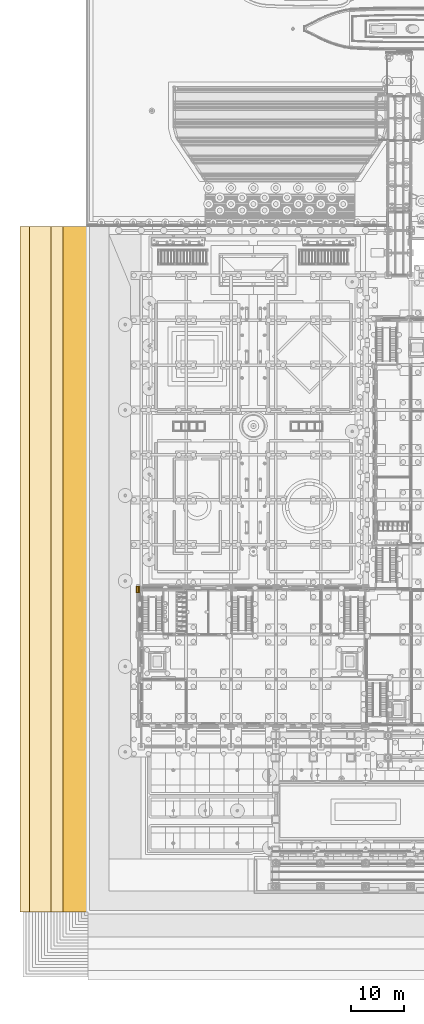
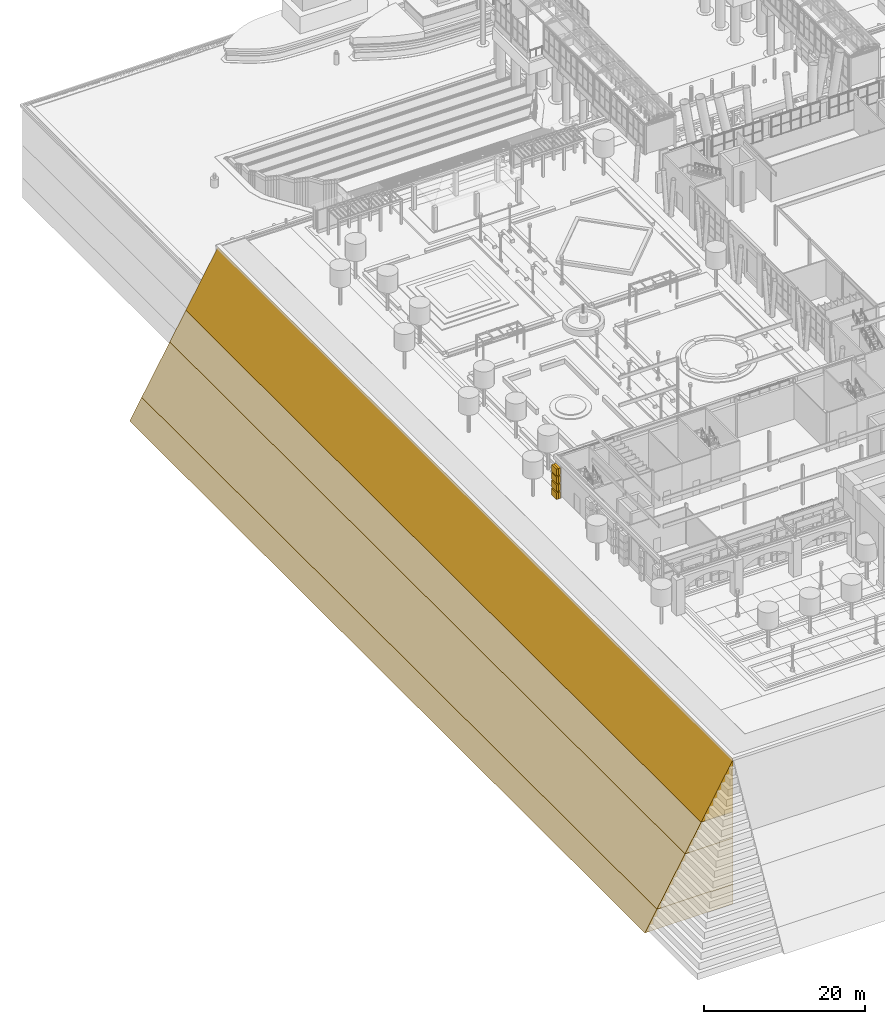
# One storey, part 135 of 222: 12 coverings.
"""IFC4 building model written with IfcOpenShell, lengths in metres."""

import ifcopenshell
import ifcopenshell.guid

model = None  # the IFC model being written
_history = None  # IfcOwnerHistory: only IFC2X3 demands one
_inside = {}  # id of a spatial element -> (the spatial element, [elements in it])
_under = {}  # id of a project, library or spatial element -> (it, [spatial elements below it])
_declared = {}  # id of a project -> (the project, [libraries it declares])
_typed = {}  # id of a type object -> (the type object, [elements of that type])
_made_of = {}  # id of a material, layer set ... -> (it, [elements and type objects made of it])


def new_model(schema):
    """Start an empty IFC model of exactly this schema.

    Asked for "IFC4X3", IfcOpenShell would pick the latest addendum, in which some entities
    have other attributes; the version numbers below select the first issue.
    IFC2X3 requires an IfcOwnerHistory on every rooted entity: one is made here for all.
    """
    global model, _history
    if schema == "IFC4X3":
        model = ifcopenshell.file(schema_version=(4, 3, 0, 0))
    else:
        model = ifcopenshell.file(schema=schema)
    _inside.clear()
    _under.clear()
    _declared.clear()
    _typed.clear()
    _made_of.clear()
    _history = None
    if model.schema == "IFC2X3":
        org = make("IfcOrganization", Name="unknown")
        user = make(
            "IfcPersonAndOrganization",
            ThePerson=make("IfcPerson", FamilyName="unknown"),
            TheOrganization=org,
        )
        app = make(
            "IfcApplication",
            ApplicationDeveloper=org,
            Version="unknown",
            ApplicationFullName="unknown",
            ApplicationIdentifier="unknown",
        )
        _history = make(
            "IfcOwnerHistory",
            OwningUser=user,
            OwningApplication=app,
            ChangeAction="ADDED",
            CreationDate=0,
        )
    return model


def make(cls, **values):
    """One entity of the class cls with the attributes given. An attribute that is None is left unset."""
    return model.create_entity(
        cls, **{name: value for name, value in values.items() if value is not None}
    )


def rooted(cls, **values):
    """An entity with a GlobalId (a new one), such as an element, a storey or a relation."""
    return make(cls, GlobalId=ifcopenshell.guid.new(), OwnerHistory=_history, **values)


def si_unit(unit_type, name, prefix=None):
    """IfcSIUnit, for example si_unit("LENGTHUNIT", "METRE", prefix="MILLI")."""
    return make("IfcSIUnit", UnitType=unit_type, Prefix=prefix, Name=name)


def assignment(units):
    """IfcUnitAssignment: the units of a project."""
    return None if units is None else make("IfcUnitAssignment", Units=units)


def point(xyz):
    """IfcCartesianPoint."""
    return None if xyz is None else make("IfcCartesianPoint", Coordinates=xyz)


def direction(xyz):
    """IfcDirection."""
    return None if xyz is None else make("IfcDirection", DirectionRatios=xyz)


def frame(location, z_axis=None, x_axis=None):
    """IfcAxis2Placement3D, a coordinate frame: its origin and axes. An axis left out is left unset."""
    return make(
        "IfcAxis2Placement3D",
        Location=point(location),
        Axis=direction(z_axis),
        RefDirection=direction(x_axis),
    )


def frame_2d(location, x_axis=None):
    """IfcAxis2Placement2D, a coordinate frame in the plane: its origin and x axis."""
    return make(
        "IfcAxis2Placement2D", Location=point(location), RefDirection=direction(x_axis)
    )


def origin():
    """The frame at (0, 0, 0) with its axes left unset."""
    return frame((0.0, 0.0, 0.0))


def origin_2d():
    """The frame at (0, 0) in the plane with its x axis left unset."""
    return frame_2d((0.0, 0.0))


def place(relative_to, where):
    """IfcLocalPlacement: puts the frame where relative to a parent placement (None: the world)."""
    return make(
        "IfcLocalPlacement", PlacementRelTo=relative_to, RelativePlacement=where
    )


def context(
    kind, dimensions, precision=None, world=None, true_north=None, identifier=None
):
    """IfcGeometricRepresentationContext, for example the 3D "Model" context."""
    return make(
        "IfcGeometricRepresentationContext",
        ContextIdentifier=identifier,
        ContextType=kind,
        CoordinateSpaceDimension=dimensions,
        Precision=precision,
        WorldCoordinateSystem=world,
        TrueNorth=true_north,
    )


def subcontext(parent, identifier, kind, view, scale=None):
    """IfcGeometricRepresentationSubContext, for example "Body" below "Model"."""
    return make(
        "IfcGeometricRepresentationSubContext",
        ContextIdentifier=identifier,
        ContextType=kind,
        ParentContext=parent,
        TargetScale=scale,
        TargetView=view,
    )


def project(units=None, contexts=None):
    """IfcProject with its units and contexts."""
    return rooted(
        "IfcProject",
        Name="project",
        RepresentationContexts=contexts,
        UnitsInContext=assignment(units),
    )


def spatial(cls, under=None, at=None, **own):
    """A site, building, storey or space (cls), placed at a placement, below another one or the project."""
    s = rooted(cls, ObjectPlacement=at, **own)
    if under is not None:
        _under.setdefault(under.id(), (under, []))[1].append(s)
    return s


def polyline(points):
    """IfcPolyline through the points."""
    return make("IfcPolyline", Points=[point(p) for p in points])


def profile(cls, at=None, kind="AREA", **sizes):
    """A parametric profile (cls). Its sizes go by their IFC names, for example OverallWidth=200.0."""
    return make(cls, ProfileType=kind, Position=at, **sizes)


def rectangle(**sizes):
    """IfcRectangleProfileDef."""
    return profile("IfcRectangleProfileDef", **sizes)


def outline(outer, holes=None, kind="AREA"):
    """IfcArbitraryClosedProfileDef: a profile drawn as a closed curve; with holes, ...WithVoids."""
    if holes is None:
        return make("IfcArbitraryClosedProfileDef", ProfileType=kind, OuterCurve=outer)
    return make(
        "IfcArbitraryProfileDefWithVoids",
        ProfileType=kind,
        OuterCurve=outer,
        InnerCurves=holes,
    )


def extrude(swept, where, along, depth):
    """IfcExtrudedAreaSolid: the profile swept, set in the frame where, extruded along a direction by depth."""
    return make(
        "IfcExtrudedAreaSolid",
        SweptArea=swept,
        Position=where,
        ExtrudedDirection=direction(along),
        Depth=depth,
    )


def shape(context_of_items, identifier, shape_type, items):
    """IfcShapeRepresentation: the items that make up one representation, for example the "Body"."""
    return make(
        "IfcShapeRepresentation",
        ContextOfItems=context_of_items,
        RepresentationIdentifier=identifier,
        RepresentationType=shape_type,
        Items=items,
    )


def material(Name=None, Category=None):
    """IfcMaterial."""
    return make("IfcMaterial", Name=Name, Category=Category)


def layer(
    of_material, thickness, ventilated=None, Name=None, Category=None, Priority=None
):
    """IfcMaterialLayer: one layer of a wall or slab, of a material (None: an air gap)."""
    return make(
        "IfcMaterialLayer",
        Material=of_material,
        LayerThickness=thickness,
        IsVentilated=ventilated,
        Name=Name,
        Category=Category,
        Priority=Priority,
    )


def layer_set(layers, Name=None):
    """IfcMaterialLayerSet."""
    return make("IfcMaterialLayerSet", MaterialLayers=layers, LayerSetName=Name)


def made_of(thing, what):
    """Note that an element or type object is made of a material, layer set ...; save() writes the relation."""
    if what is not None:
        _made_of.setdefault(what.id(), (what, []))[1].append(thing)
    return thing


def type_object(cls, material=None, **own):
    """A type object (cls), such as IfcWallType, which elements share."""
    return made_of(rooted(cls, **own), material)


def element(
    cls,
    number,
    at=None,
    inside=None,
    cuts=None,
    type_object=None,
    material=None,
    context=None,
    identifier="Body",
    shape_type=None,
    held_by="IfcProductDefinitionShape",
    body=None,
    shapes=None,
    **own,
):
    """One element of the class cls, such as IfcWall. Its Tag is "e" and its number.

    at: its placement. inside: the storey or other place that contains it. cuts: it is an
    opening in that element (IfcRelVoidsElement). A single representation is given by context,
    identifier, shape_type and body (its items); several are given by shapes. held_by: the class
    of the entity that holds the representations. save() writes the other relations.
    """
    e = rooted(cls, Tag="e%d" % number, ObjectPlacement=at, **own)
    if body is not None:
        shapes = [shape(context, identifier, shape_type, body)]
    if shapes is not None:
        e.Representation = make(held_by, Representations=shapes)
    if inside is not None:
        _inside.setdefault(inside.id(), (inside, []))[1].append(e)
    if cuts is not None:
        rooted(
            "IfcRelVoidsElement", RelatingBuildingElement=cuts, RelatedOpeningElement=e
        )
    if type_object is not None:
        _typed.setdefault(type_object.id(), (type_object, []))[1].append(e)
    return made_of(e, material)


def aggregate(whole, parts):
    """IfcRelAggregates: a whole, such as a stair, and the parts it consists of."""
    return rooted("IfcRelAggregates", RelatingObject=whole, RelatedObjects=parts)


def save(model, path):
    """Write the relations noted so far, then the file.

    IfcRelAggregates (storeys below a building ...), IfcRelContainedInSpatialStructure (elements
    in a storey), IfcRelDefinesByType, IfcRelAssociatesMaterial and IfcRelDeclares: one each for
    every whole, place, type object, material and project.
    """
    for whole, parts in _under.values():
        aggregate(whole, parts)
    for where, things in _inside.values():
        rooted(
            "IfcRelContainedInSpatialStructure",
            RelatedElements=things,
            RelatingStructure=where,
        )
    for kind, things in _typed.values():
        rooted("IfcRelDefinesByType", RelatedObjects=things, RelatingType=kind)
    for what, things in _made_of.values():
        rooted("IfcRelAssociatesMaterial", RelatedObjects=things, RelatingMaterial=what)
    for by, libraries in _declared.values():
        rooted("IfcRelDeclares", RelatingContext=by, RelatedDefinitions=libraries)
    model.write(path)


model = new_model("IFC4")

# Units and contexts
model_context = context("Model", 3, precision=1e-05, world=origin(), true_north=direction((0.0, 1.0)))
body_context = subcontext(model_context, "Body", "Model", "MODEL_VIEW")
ifc_project = project(units=[si_unit("LENGTHUNIT", "METRE"), si_unit("AREAUNIT", "SQUARE_METRE"), si_unit("VOLUMEUNIT", "CUBIC_METRE"), si_unit("PLANEANGLEUNIT", "RADIAN"), si_unit("MASSUNIT", "GRAM", prefix="KILO")], contexts=[model_context])

# Site, building, storey
site_placement = place(None, origin())
site = spatial("IfcSite", under=ifc_project, at=site_placement, CompositionType="ELEMENT")
building_placement = place(site_placement, origin())
building = spatial("IfcBuilding", under=site, at=building_placement, Name="Sava Quay Ferry Terminal", CompositionType="ELEMENT")
storey_placement = place(building_placement, origin())
storey = spatial("IfcBuildingStorey", under=building, at=storey_placement, Name="L00", CompositionType="ELEMENT", Elevation=0.0)

# Coverings
ifc_material_1 = material(Name="Compacted gravel fill")
ifc_layer_1 = layer(ifc_material_1, 7.97998046875)
ifc_layer_set_1 = layer_set([ifc_layer_1], Name="Compacted gravel fill")
covering_type_1 = type_object("IfcCoveringType", Name="Made ground at quay level", PredefinedType="CLADDING", material=ifc_layer_set_1)
covering_1_placement = place(storey_placement, frame((-10.0, -10.0, -0.02001953125), z_axis=(0.0, 1.0, 0.0), x_axis=(-1.0, 0.0, 0.0)))
element("IfcCovering", 1, at=covering_1_placement, inside=storey, type_object=covering_type_1, Name="Made ground at quay level", PredefinedType="CLADDING", context=body_context, shape_type="SweptSolid", body=[
    extrude(outline(polyline([(0.0, 0.0), (4.607421875, -7.97998046875), (0.0, -7.97998046875), (0.0, 0.0)])), origin(), (0.0, 0.0, 1.0), 128.35009765625),
])
ifc_material_2 = material(Name="Marl")
ifc_layer_2 = layer(ifc_material_2, 3.0)
ifc_layer_set_2 = layer_set([ifc_layer_2], Name="Marl")
covering_type_2 = type_object("IfcCoveringType", Name="Marl", PredefinedType="CLADDING", material=ifc_layer_set_2)
covering_2_placement = place(storey_placement, frame((-10.0, -10.0, -19.0), z_axis=(0.0, 1.0, 0.0), x_axis=(-1.0, 0.0, 0.0)))
element("IfcCovering", 2, at=covering_2_placement, inside=storey, type_object=covering_type_2, Name="Marl", PredefinedType="CLADDING", context=body_context, shape_type="SweptSolid", body=[
    extrude(outline(polyline([(0.0, 0.0), (10.9580078125, 0.0), (12.690185546875, -3.0), (0.0, -3.0), (0.0, 0.0)])), origin(), (0.0, 0.0, 1.0), 128.35009765625),
])
ifc_material_3 = material(Name="Limestone Mutalj", Category="masonry")
ifc_layer_3 = layer(ifc_material_3, 0.300048828125)
ifc_layer_set_3 = layer_set([ifc_layer_3], Name="Limestone Mutalj")
covering_type_3 = type_object("IfcCoveringType", Name="Rusticated course deepening 300", PredefinedType="CLADDING", material=ifc_layer_set_3)
for number, where, z_axis, x_axis, name in (
    (3, (-0.75, 50.39990234375, 0.0), (0.0, 0.0, 1.0), (1.0, 0.0, 0.0), "Rusticated course deepening"),
    (4, (-0.75, 50.39990234375, 1.199951171875), (0.0, 0.0, 1.0), (1.0, 0.0, 0.0), "Rusticated course deepening"),
    (5, (-0.75, 50.39990234375, 2.39990234375), (0.0, 0.0, 1.0), (1.0, 0.0, 0.0), "Rusticated course deepening"),
    (6, (-0.75, 50.39990234375, 3.60009765625), (0.0, 0.0, 1.0), (1.0, 0.0, 0.0), "Rusticated course deepening"),
):
    element("IfcCovering", number, at=place(storey_placement, frame(where, z_axis=z_axis, x_axis=x_axis)), inside=storey, type_object=covering_type_3, Name=name, PredefinedType="CLADDING", context=body_context, shape_type="SweptSolid", body=[
        extrude(rectangle(XDim=0.300048828125, YDim=1.199951171875, at=origin_2d()), origin(), (0.0, 0.0, 1.0), 1.0),
    ])
ifc_material_4 = material(Name="Limestone Mutalj", Category="masonry")
ifc_layer_4 = layer(ifc_material_4, 0.300048828125)
ifc_layer_set_4 = layer_set([ifc_layer_4], Name="Limestone Mutalj")
covering_type_4 = type_object("IfcCoveringType", Name="Rusticated pier course 300", PredefinedType="CLADDING", material=ifc_layer_set_4)
for number, where, z_axis, x_axis, name in (
    (7, (-0.449951171875, 50.39990234375, 0.0), (0.0, 0.0, 1.0), (1.0, 0.0, 0.0), "Rusticated pier course"),
    (8, (-0.449951171875, 50.39990234375, 1.199951171875), (0.0, 0.0, 1.0), (1.0, 0.0, 0.0), "Rusticated pier course"),
    (9, (-0.449951171875, 50.39990234375, 2.39990234375), (0.0, 0.0, 1.0), (1.0, 0.0, 0.0), "Rusticated pier course"),
    (10, (-0.449951171875, 50.39990234375, 3.60009765625), (0.0, 0.0, 1.0), (1.0, 0.0, 0.0), "Rusticated pier course"),
):
    element("IfcCovering", number, at=place(storey_placement, frame(where, z_axis=z_axis, x_axis=x_axis)), inside=storey, type_object=covering_type_4, Name=name, PredefinedType="CLADDING", context=body_context, shape_type="SweptSolid", body=[
        extrude(rectangle(XDim=0.300048828125, YDim=1.199951171875, at=origin_2d()), origin(), (0.0, 0.0, 1.0), 1.0),
    ])
ifc_material_5 = material(Name="Sand and gravel")
ifc_layer_5 = layer(ifc_material_5, 7.0)
ifc_layer_set_5 = layer_set([ifc_layer_5], Name="Sand and gravel")
covering_type_5 = type_object("IfcCoveringType", Name="Sand and gravel", PredefinedType="CLADDING", material=ifc_layer_set_5)
covering_3_placement = place(storey_placement, frame((-10.0, -10.0, -12.0), z_axis=(0.0, 1.0, 0.0), x_axis=(-1.0, 0.0, 0.0)))
element("IfcCovering", 11, at=covering_3_placement, inside=storey, type_object=covering_type_5, Name="Sand and gravel", PredefinedType="CLADDING", context=body_context, shape_type="SweptSolid", body=[
    extrude(outline(polyline([(0.0, 0.0), (6.916748046875, 0.0), (10.9580078125, -7.0), (0.0, -7.0), (0.0, 0.0)])), origin(), (0.0, 0.0, 1.0), 128.35009765625),
])
ifc_material_6 = material(Name="Silty and sandy clay")
ifc_layer_6 = layer(ifc_material_6, 4.0)
ifc_layer_set_6 = layer_set([ifc_layer_6], Name="Silty and sandy clay")
covering_type_6 = type_object("IfcCoveringType", Name="Silty and sandy clay", PredefinedType="CLADDING", material=ifc_layer_set_6)
covering_4_placement = place(storey_placement, frame((-10.0, -10.0, -8.0), z_axis=(0.0, 1.0, 0.0), x_axis=(-1.0, 0.0, 0.0)))
element("IfcCovering", 12, at=covering_4_placement, inside=storey, type_object=covering_type_6, Name="Silty and sandy clay", PredefinedType="CLADDING", context=body_context, shape_type="SweptSolid", body=[
    extrude(outline(polyline([(0.0, 0.0), (4.607421875, 0.0), (6.916748046875, -4.0), (0.0, -4.0), (0.0, 0.0)])), origin(), (0.0, 0.0, 1.0), 128.35009765625),
])

save(model, "model.ifc")
